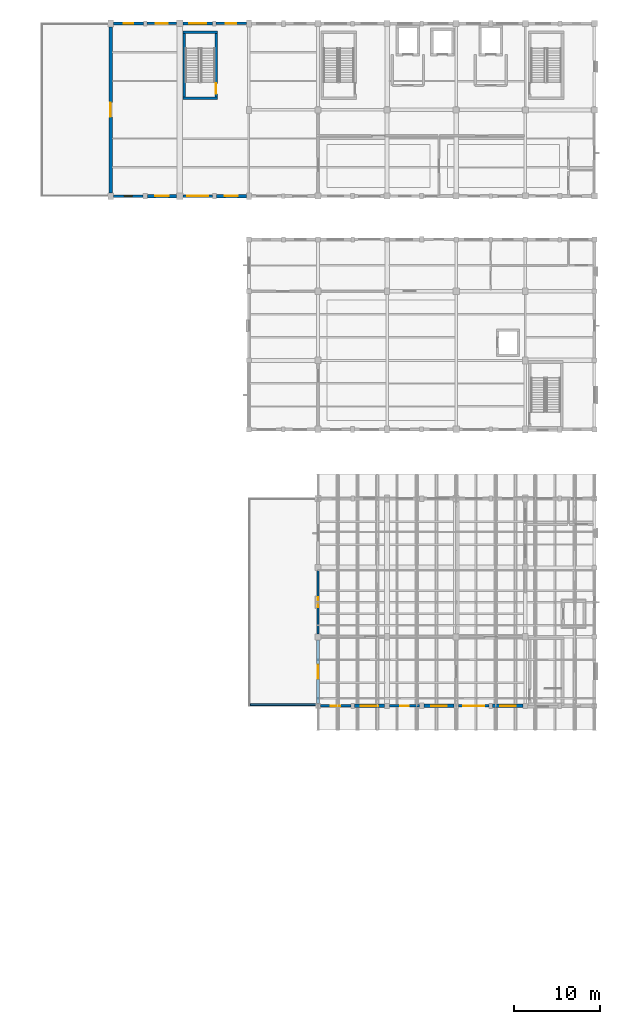
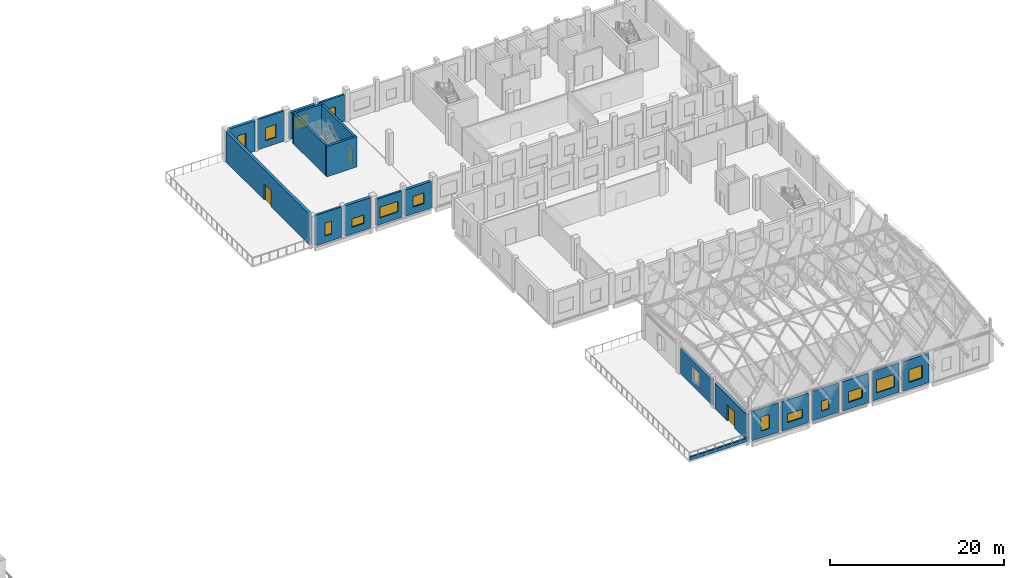
# One storey, part 45 of 77: 22 walls, 15 windows, 3 doors, 18 openings.
"""IFC4 building model written with IfcOpenShell, lengths in metres."""

from ifc_helpers import new_model, si_unit, direction, frame, frame_2d, origin, place, context, subcontext, project, spatial, rectangle, extrude, material, layer, layer_set, type_object, element, fill, save


model = new_model("IFC4")

# Units and contexts
model_context = context("Model", 3, precision=1e-05, world=origin(), true_north=direction((0.0, 1.0)))
body_context = subcontext(model_context, "Body", "Model", "MODEL_VIEW")
ifc_project = project(units=[si_unit("LENGTHUNIT", "METRE"), si_unit("AREAUNIT", "SQUARE_METRE"), si_unit("VOLUMEUNIT", "CUBIC_METRE"), si_unit("PLANEANGLEUNIT", "RADIAN"), si_unit("MASSUNIT", "GRAM", prefix="KILO")], contexts=[model_context])

# Site, building, storey
site_placement = place(None, origin())
site = spatial("IfcSite", under=ifc_project, at=site_placement, CompositionType="ELEMENT")
building_placement = place(site_placement, origin())
building = spatial("IfcBuilding", under=site, at=building_placement, Name="Luwemba Playhouse", CompositionType="ELEMENT")
storey_placement = place(building_placement, frame((0.0, 0.0, 9.300048828125)))
storey = spatial("IfcBuildingStorey", under=building, at=storey_placement, Name="L02", CompositionType="ELEMENT", Elevation=9.300048828125)

# Wall, opening, door
ifc_material_1 = material(Name="Clay facing brick obra vista masonry", Category="masonry")
ifc_layer_1 = layer(ifc_material_1, 0.3798828125)
ifc_layer_set_1 = layer_set([ifc_layer_1], Name="Clay facing brick obra vista masonry")
wall_type_1 = type_object("IfcWallType", Name="WAL-BRK-380", PredefinedType="SOLIDWALL", material=ifc_layer_set_1)
wall_1_placement = place(storey_placement, frame((140.0, 36.27490234375, 0.0), z_axis=(0.0, 0.0, 1.0), x_axis=(0.0, 1.0, 0.0)))
wall_1 = element("IfcWall", 1, at=wall_1_placement, inside=storey, type_object=wall_type_1, Name="L02 V3 exterior facade wall 0303", PredefinedType="SOLIDWALL", context=body_context, shape_type="SweptSolid", body=[
    extrude(rectangle(XDim=7.375, YDim=0.3798828125, at=frame_2d((3.6875, 0.0))), origin(), (0.0, 0.0, 1.0), 3.5849609375),
])
opening_1_placement = place(wall_1_placement, frame((2.862548828125, 0.0, 0.0)))
opening_1 = element("IfcOpeningElement", 2, at=opening_1_placement, cuts=wall_1, Name="Opening D-TR1", PredefinedType="OPENING", context=body_context, shape_type="SweptSolid", body=[
    extrude(rectangle(XDim=1.64990234375, YDim=2.25, at=frame_2d((0.824951171875, 1.125))), frame((0.0, 0.199951171875, 0.0), z_axis=(0.0, -1.0, 0.0), x_axis=(1.0, 0.0, 0.0)), (0.0, 0.0, 1.0), 0.39990234375),
])
ifc_material_2 = material(Name="Architectural bronze-anodised aluminium and glazed leaf", Category="aluminium")
door_type_1 = type_object("IfcDoorType", Name="DR-TER-165", OperationType="NOTDEFINED", PredefinedType="DOOR", material=ifc_material_2)
door_1_placement = place(opening_1_placement, origin())
door_1 = element("IfcDoor", 3, at=door_1_placement, inside=storey, type_object=door_type_1, Name="L02 TER-V3-L02 terrace entrance door", OperationType="DOUBLE_DOOR_SINGLE_SWING", OverallHeight=2.25, OverallWidth=1.64990234375, PredefinedType="DOOR", context=body_context, shape_type="SweptSolid", body=[
    extrude(rectangle(XDim=1.64990234375, YDim=2.25, at=frame_2d((0.824951171875, 1.125))), frame((0.0, 0.02490234375, 0.0), z_axis=(0.0, -1.0, 0.0), x_axis=(1.0, 0.0, 0.0)), (0.0, 0.0, 1.0), 0.050048828125),
])
fill(opening_1, door_1)

# Wall, opening, window
wall_2_placement = place(storey_placement, frame((163.72509765625, 36.0, 0.0), z_axis=(0.0, 0.0, 1.0), x_axis=(-1.0, 0.0, 0.0)))
wall_2 = element("IfcWall", 4, at=wall_2_placement, inside=storey, type_object=wall_type_1, Name="L02 V3 exterior facade wall 0319", PredefinedType="SOLIDWALL", context=body_context, shape_type="SweptSolid", body=[
    extrude(rectangle(XDim=3.5, YDim=0.3798828125, at=frame_2d((1.75, 0.0))), origin(), (0.0, 0.0, 1.0), 4.125),
])
opening_2_placement = place(wall_2_placement, frame((0.85009765625, 0.0, 0.949951171875)))
opening_2 = element("IfcOpeningElement", 5, at=opening_2_placement, cuts=wall_2, Name="Opening WN-04", PredefinedType="OPENING", context=body_context, shape_type="SweptSolid", body=[
    extrude(rectangle(XDim=1.800048828125, YDim=1.800048828125, at=frame_2d((0.89990234375, 0.89990234375))), frame((0.0, 0.199951171875, 0.0), z_axis=(0.0, -1.0, 0.0), x_axis=(1.0, 0.0, 0.0)), (0.0, 0.0, 1.0), 0.39990234375),
])
ifc_material_3 = material(Name="Solar-control double glazing in aluminium frame", Category="aluminium")
window_type_1 = type_object("IfcWindowType", Name="WIN-WN-04", PartitioningType="DOUBLE_PANEL_VERTICAL", PredefinedType="WINDOW", material=ifc_material_3)
window_1_placement = place(opening_2_placement, origin())
window_1 = element("IfcWindow", 6, at=window_1_placement, inside=storey, type_object=window_type_1, Name="L02 V3 scheduled window 0264", OverallHeight=1.800048828125, OverallWidth=1.800048828125, PartitioningType="DOUBLE_PANEL_VERTICAL", PredefinedType="WINDOW", context=body_context, shape_type="SweptSolid", body=[
    extrude(rectangle(XDim=1.800048828125, YDim=1.800048828125, at=frame_2d((0.89990234375, 0.89990234375))), frame((0.0, 0.030029296875, 0.0), z_axis=(0.0, -1.0, 0.0), x_axis=(1.0, 0.0, 0.0)), (0.0, 0.0, 1.0), 0.06005859375),
])
fill(opening_2, window_1)

wall_3_placement = place(storey_placement, frame((155.72509765625, 36.0, 0.0), z_axis=(0.0, 0.0, 1.0), x_axis=(-1.0, 0.0, 0.0)))
wall_3 = element("IfcWall", 7, at=wall_3_placement, inside=storey, type_object=wall_type_1, Name="L02 V3 exterior facade wall 0321", PredefinedType="SOLIDWALL", context=body_context, shape_type="SweptSolid", body=[
    extrude(rectangle(XDim=3.47509765625, YDim=0.3798828125, at=frame_2d((1.737548828125, 0.0))), origin(), (0.0, 0.0, 1.0), 4.125),
])
opening_3_placement = place(wall_3_placement, frame((0.83740234375, 0.0, 0.949951171875)))
opening_3 = element("IfcOpeningElement", 8, at=opening_3_placement, cuts=wall_3, Name="Opening WN-10", PredefinedType="OPENING", context=body_context, shape_type="SweptSolid", body=[
    extrude(rectangle(XDim=1.800048828125, YDim=1.5, at=frame_2d((0.89990234375, 0.75))), frame((0.0, 0.199951171875, 0.0), z_axis=(0.0, -1.0, 0.0), x_axis=(1.0, 0.0, 0.0)), (0.0, 0.0, 1.0), 0.39990234375),
])
window_type_2 = type_object("IfcWindowType", Name="WIN-WN-10", PartitioningType="DOUBLE_PANEL_VERTICAL", PredefinedType="WINDOW", material=ifc_material_3)
window_2_placement = place(opening_3_placement, origin())
window_2 = element("IfcWindow", 9, at=window_2_placement, inside=storey, type_object=window_type_2, Name="L02 V3 scheduled window 0266", OverallHeight=1.5, OverallWidth=1.800048828125, PartitioningType="DOUBLE_PANEL_VERTICAL", PredefinedType="WINDOW", context=body_context, shape_type="SweptSolid", body=[
    extrude(rectangle(XDim=1.800048828125, YDim=1.5, at=frame_2d((0.89990234375, 0.75))), frame((0.0, 0.030029296875, 0.0), z_axis=(0.0, -1.0, 0.0), x_axis=(1.0, 0.0, 0.0)), (0.0, 0.0, 1.0), 0.06005859375),
])
fill(opening_3, window_2)

wall_4_placement = place(storey_placement, frame((147.72509765625, 36.0, 0.0), z_axis=(0.0, 0.0, 1.0), x_axis=(-1.0, 0.0, 0.0)))
wall_4 = element("IfcWall", 10, at=wall_4_placement, inside=storey, type_object=wall_type_1, Name="L02 V3 exterior facade wall 0323", PredefinedType="SOLIDWALL", context=body_context, shape_type="SweptSolid", body=[
    extrude(rectangle(XDim=3.525146484375, YDim=0.3798828125, at=frame_2d((1.7626953125, 0.0))), origin(), (0.0, 0.0, 1.0), 4.125),
])
opening_4_placement = place(wall_4_placement, frame((0.762451171875, 0.0, 0.949951171875)))
opening_4 = element("IfcOpeningElement", 11, at=opening_4_placement, cuts=wall_4, Name="Opening WN-16", PredefinedType="OPENING", context=body_context, shape_type="SweptSolid", body=[
    extrude(rectangle(XDim=2.0, YDim=1.199951171875, at=frame_2d((1.0, 0.60009765625))), frame((0.0, 0.199951171875, 0.0), z_axis=(0.0, -1.0, 0.0), x_axis=(1.0, 0.0, 0.0)), (0.0, 0.0, 1.0), 0.39990234375),
])
window_type_3 = type_object("IfcWindowType", Name="WIN-WN-16", PartitioningType="DOUBLE_PANEL_HORIZONTAL", PredefinedType="WINDOW", material=ifc_material_3)
window_3_placement = place(opening_4_placement, origin())
window_3 = element("IfcWindow", 12, at=window_3_placement, inside=storey, type_object=window_type_3, Name="L02 V3 scheduled window 0268", OverallHeight=1.199951171875, OverallWidth=2.0, PartitioningType="DOUBLE_PANEL_HORIZONTAL", PredefinedType="WINDOW", context=body_context, shape_type="SweptSolid", body=[
    extrude(rectangle(XDim=2.0, YDim=1.199951171875, at=frame_2d((1.0, 0.60009765625))), frame((0.0, 0.030029296875, 0.0), z_axis=(0.0, -1.0, 0.0), x_axis=(1.0, 0.0, 0.0)), (0.0, 0.0, 1.0), 0.06005859375),
])
fill(opening_4, window_3)

# Wall, opening, door
wall_5_placement = place(storey_placement, frame((116.0, 95.39990234375, 0.0), z_axis=(0.0, 0.0, 1.0), x_axis=(0.0, 1.0, 0.0)))
wall_5 = element("IfcWall", 13, at=wall_5_placement, inside=storey, type_object=wall_type_1, Name="L02 V6E exterior facade wall 0377", PredefinedType="SOLIDWALL", context=body_context, shape_type="SweptSolid", body=[
    extrude(rectangle(XDim=19.2001953125, YDim=0.3798828125, at=frame_2d((9.60009765625, 0.0))), origin(), (0.0, 0.0, 1.0), 4.27001953125),
])
opening_5_placement = place(wall_5_placement, frame((8.77490234375, 0.0, 0.0)))
opening_5 = element("IfcOpeningElement", 14, at=opening_5_placement, cuts=wall_5, Name="Opening D-TR1", PredefinedType="OPENING", context=body_context, shape_type="SweptSolid", body=[
    extrude(rectangle(XDim=1.64990234375, YDim=2.25, at=frame_2d((0.824951171875, 1.125))), frame((0.0, 0.199951171875, 0.0), z_axis=(0.0, -1.0, 0.0), x_axis=(1.0, 0.0, 0.0)), (0.0, 0.0, 1.0), 0.39990234375),
])
door_2_placement = place(opening_5_placement, origin())
door_2 = element("IfcDoor", 15, at=door_2_placement, inside=storey, type_object=door_type_1, Name="L02 TER-V6E-L02 terrace entrance door", OperationType="DOUBLE_DOOR_SINGLE_SWING", OverallHeight=2.25, OverallWidth=1.64990234375, PredefinedType="DOOR", context=body_context, shape_type="SweptSolid", body=[
    extrude(rectangle(XDim=1.64990234375, YDim=2.25, at=frame_2d((0.824951171875, 1.125))), frame((0.0, 0.02490234375, 0.0), z_axis=(0.0, -1.0, 0.0), x_axis=(1.0, 0.0, 0.0)), (0.0, 0.0, 1.0), 0.050048828125),
])
fill(opening_5, door_2)

# Wall, opening, window
wall_6_placement = place(storey_placement, frame((116.300048828125, 115.0, 0.0), z_axis=(0.0, 0.0, 1.0), x_axis=(1.0, 0.0, 0.0)))
wall_6 = element("IfcWall", 16, at=wall_6_placement, inside=storey, type_object=wall_type_1, Name="L02 V6E exterior facade wall 0378", PredefinedType="SOLIDWALL", context=body_context, shape_type="SweptSolid", body=[
    extrude(rectangle(XDim=3.474853515625, YDim=0.3798828125, at=frame_2d((1.7373046875, 0.0))), origin(), (0.0, 0.0, 1.0), 4.27001953125),
])
opening_6_placement = place(wall_6_placement, frame((1.1875, 0.0, 0.949951171875)))
opening_6 = element("IfcOpeningElement", 17, at=opening_6_placement, cuts=wall_6, Name="Opening WN-19", PredefinedType="OPENING", context=body_context, shape_type="SweptSolid", body=[
    extrude(rectangle(XDim=1.10009765625, YDim=2.0, at=frame_2d((0.550048828125, 1.0))), frame((0.0, 0.199951171875, 0.0), z_axis=(0.0, -1.0, 0.0), x_axis=(1.0, 0.0, 0.0)), (0.0, 0.0, 1.0), 0.39990234375),
])
window_type_4 = type_object("IfcWindowType", Name="WIN-WN-19", PartitioningType="SINGLE_PANEL", PredefinedType="WINDOW", material=ifc_material_3)
window_4_placement = place(opening_6_placement, origin())
window_4 = element("IfcWindow", 18, at=window_4_placement, inside=storey, type_object=window_type_4, Name="L02 V6E scheduled window 0321", OverallHeight=2.0, OverallWidth=1.10009765625, PartitioningType="SINGLE_PANEL", PredefinedType="WINDOW", context=body_context, shape_type="SweptSolid", body=[
    extrude(rectangle(XDim=1.10009765625, YDim=2.0, at=frame_2d((0.550048828125, 1.0))), frame((0.0, 0.030029296875, 0.0), z_axis=(0.0, -1.0, 0.0), x_axis=(1.0, 0.0, 0.0)), (0.0, 0.0, 1.0), 0.06005859375),
])
fill(opening_6, window_4)

wall_7_placement = place(storey_placement, frame((124.375, 115.0, 0.0), z_axis=(0.0, 0.0, 1.0), x_axis=(1.0, 0.0, 0.0)))
wall_7 = element("IfcWall", 19, at=wall_7_placement, inside=storey, type_object=wall_type_1, Name="L02 V6E exterior facade wall 0380", PredefinedType="SOLIDWALL", context=body_context, shape_type="SweptSolid", body=[
    extrude(rectangle(XDim=3.425048828125, YDim=0.3798828125, at=frame_2d((1.71240234375, 0.0))), origin(), (0.0, 0.0, 1.0), 3.7548828125),
])
opening_7_placement = place(wall_7_placement, frame((0.71240234375, 0.0, 0.949951171875)))
opening_7 = element("IfcOpeningElement", 20, at=opening_7_placement, cuts=wall_7, Name="Opening WN-05", PredefinedType="OPENING", context=body_context, shape_type="SweptSolid", body=[
    extrude(rectangle(XDim=2.0, YDim=1.800048828125, at=frame_2d((1.0, 0.89990234375))), frame((0.0, 0.199951171875, 0.0), z_axis=(0.0, -1.0, 0.0), x_axis=(1.0, 0.0, 0.0)), (0.0, 0.0, 1.0), 0.39990234375),
])
window_type_5 = type_object("IfcWindowType", Name="WIN-WN-05", PartitioningType="TRIPLE_PANEL_VERTICAL", PredefinedType="WINDOW", material=ifc_material_3)
window_5_placement = place(opening_7_placement, origin())
window_5 = element("IfcWindow", 21, at=window_5_placement, inside=storey, type_object=window_type_5, Name="L02 V6E scheduled window 0323", OverallHeight=1.800048828125, OverallWidth=2.0, PartitioningType="TRIPLE_PANEL_VERTICAL", PredefinedType="WINDOW", context=body_context, shape_type="SweptSolid", body=[
    extrude(rectangle(XDim=2.0, YDim=1.800048828125, at=frame_2d((1.0, 0.89990234375))), frame((0.0, 0.030029296875, 0.0), z_axis=(0.0, -1.0, 0.0), x_axis=(1.0, 0.0, 0.0)), (0.0, 0.0, 1.0), 0.06005859375),
])
fill(opening_7, window_5)

wall_8_placement = place(storey_placement, frame((131.699951171875, 95.0, 0.0), z_axis=(0.0, 0.0, 1.0), x_axis=(-1.0, 0.0, 0.0)))
wall_8 = element("IfcWall", 22, at=wall_8_placement, inside=storey, type_object=wall_type_1, Name="L02 V6E exterior facade wall 0404", PredefinedType="SOLIDWALL", context=body_context, shape_type="SweptSolid", body=[
    extrude(rectangle(XDim=3.474853515625, YDim=0.3798828125, at=frame_2d((1.7373046875, 0.0))), origin(), (0.0, 0.0, 1.0), 3.704833984375),
])
opening_8_placement = place(wall_8_placement, frame((0.987548828125, 0.0, 0.949951171875)))
opening_8 = element("IfcOpeningElement", 23, at=opening_8_placement, cuts=wall_8, Name="Opening WN-09", PredefinedType="OPENING", context=body_context, shape_type="SweptSolid", body=[
    extrude(rectangle(XDim=1.5, YDim=1.5, at=frame_2d((0.75, 0.75))), frame((0.0, 0.199951171875, 0.0), z_axis=(0.0, -1.0, 0.0), x_axis=(1.0, 0.0, 0.0)), (0.0, 0.0, 1.0), 0.39990234375),
])
window_type_6 = type_object("IfcWindowType", Name="WIN-WN-09", PartitioningType="DOUBLE_PANEL_VERTICAL", PredefinedType="WINDOW", material=ifc_material_3)
window_6_placement = place(opening_8_placement, origin())
window_6 = element("IfcWindow", 24, at=window_6_placement, inside=storey, type_object=window_type_6, Name="L02 V6E scheduled window 0347", OverallHeight=1.5, OverallWidth=1.5, PartitioningType="DOUBLE_PANEL_VERTICAL", PredefinedType="WINDOW", context=body_context, shape_type="SweptSolid", body=[
    extrude(rectangle(XDim=1.5, YDim=1.5, at=frame_2d((0.75, 0.75))), frame((0.0, 0.030029296875, 0.0), z_axis=(0.0, -1.0, 0.0), x_axis=(1.0, 0.0, 0.0)), (0.0, 0.0, 1.0), 0.06005859375),
])
fill(opening_8, window_6)

wall_9_placement = place(storey_placement, frame((123.625, 95.0, 0.0), z_axis=(0.0, 0.0, 1.0), x_axis=(-1.0, 0.0, 0.0)))
wall_9 = element("IfcWall", 25, at=wall_9_placement, inside=storey, type_object=wall_type_1, Name="L02 V6E exterior facade wall 0406", PredefinedType="SOLIDWALL", context=body_context, shape_type="SweptSolid", body=[
    extrude(rectangle(XDim=3.375, YDim=0.3798828125, at=frame_2d((1.6875, 0.0))), origin(), (0.0, 0.0, 1.0), 4.27001953125),
])
opening_9_placement = place(wall_9_placement, frame((0.887451171875, 0.0, 0.949951171875)))
opening_9 = element("IfcOpeningElement", 26, at=opening_9_placement, cuts=wall_9, Name="Opening WN-15", PredefinedType="OPENING", context=body_context, shape_type="SweptSolid", body=[
    extrude(rectangle(XDim=1.60009765625, YDim=1.199951171875, at=frame_2d((0.800048828125, 0.60009765625))), frame((0.0, 0.199951171875, 0.0), z_axis=(0.0, -1.0, 0.0), x_axis=(1.0, 0.0, 0.0)), (0.0, 0.0, 1.0), 0.39990234375),
])
window_type_7 = type_object("IfcWindowType", Name="WIN-WN-15", PartitioningType="DOUBLE_PANEL_HORIZONTAL", PredefinedType="WINDOW", material=ifc_material_3)
window_7_placement = place(opening_9_placement, origin())
window_7 = element("IfcWindow", 27, at=window_7_placement, inside=storey, type_object=window_type_7, Name="L02 V6E scheduled window 0349", OverallHeight=1.199951171875, OverallWidth=1.60009765625, PartitioningType="DOUBLE_PANEL_HORIZONTAL", PredefinedType="WINDOW", context=body_context, shape_type="SweptSolid", body=[
    extrude(rectangle(XDim=1.60009765625, YDim=1.199951171875, at=frame_2d((0.800048828125, 0.60009765625))), frame((0.0, 0.030029296875, 0.0), z_axis=(0.0, -1.0, 0.0), x_axis=(1.0, 0.0, 0.0)), (0.0, 0.0, 1.0), 0.06005859375),
])
fill(opening_9, window_7)

# Walls
ifc_material_4 = material(Name="Concrete C40/50", Category="concrete")
ifc_layer_2 = layer(ifc_material_4, 0.300048828125)
ifc_layer_set_2 = layer_set([ifc_layer_2], Name="Concrete C40/50")
wall_type_2 = type_object("IfcWallType", Name="WAL-CORE-300", PredefinedType="SHEAR", material=ifc_layer_set_2)
for number, where, z_axis, x_axis, name in (
    (28, (124.35009765625, 106.35009765625, 0.0), (0.0, 0.0, 1.0), (1.0, 0.0, 0.0), "L02 ST-16 stair core wall S"),
    (29, (128.35009765625, 113.969970703125, 0.0), (0.0, 0.0, 1.0), (-1.0, 0.0, 0.0), "L02 ST-16 stair core wall N"),
):
    element("IfcWall", number, at=place(storey_placement, frame(where, z_axis=z_axis, x_axis=x_axis)), inside=storey, type_object=wall_type_2, Name=name, PredefinedType="SHEAR", context=body_context, shape_type="SweptSolid", body=[
        extrude(rectangle(XDim=4.0, YDim=0.300048828125, at=frame_2d((2.0, 0.0))), origin(), (0.0, 0.0, 1.0), 4.27001953125),
    ])
wall_10_placement = place(storey_placement, frame((124.5, 106.5, 0.0), z_axis=(0.0, 0.0, 1.0), x_axis=(0.0, 1.0, 0.0)))
element("IfcWall", 30, at=wall_10_placement, inside=storey, type_object=wall_type_2, Name="L02 ST-16 stair core wall W", PredefinedType="SHEAR", context=body_context, shape_type="SweptSolid", body=[
    extrude(rectangle(XDim=7.320068359375, YDim=0.300048828125, at=frame_2d((3.66015625, 0.0))), origin(), (0.0, 0.0, 1.0), 4.27001953125),
])

# Wall, opening, door
wall_11_placement = place(storey_placement, frame((128.199951171875, 106.5, 0.0), z_axis=(0.0, 0.0, 1.0), x_axis=(0.0, 1.0, 0.0)))
wall_11 = element("IfcWall", 31, at=wall_11_placement, inside=storey, type_object=wall_type_2, Name="L02 ST-16 stair core wall E", PredefinedType="SHEAR", context=body_context, shape_type="SweptSolid", body=[
    extrude(rectangle(XDim=7.320068359375, YDim=0.300048828125, at=frame_2d((3.66015625, 0.0))), origin(), (0.0, 0.0, 1.0), 4.27001953125),
])
opening_10_placement = place(wall_11_placement, frame((0.35009765625, 0.0, 0.0)))
opening_10 = element("IfcOpeningElement", 32, at=opening_10_placement, cuts=wall_11, Name="Opening D-STAIR3", PredefinedType="OPENING", context=body_context, shape_type="SweptSolid", body=[
    extrude(rectangle(XDim=1.199951171875, YDim=2.14990234375, at=frame_2d((0.60009765625, 1.074951171875))), frame((0.0, 0.159912109375, 0.0), z_axis=(0.0, -1.0, 0.0), x_axis=(1.0, 0.0, 0.0)), (0.0, 0.0, 1.0), 0.320068359375),
])
ifc_material_5 = material(Name="Hardwood acoustic fire door leaf", Category="wood")
door_type_2 = type_object("IfcDoorType", Name="DR-STAIR-120", OperationType="NOTDEFINED", PredefinedType="DOOR", material=ifc_material_5)
door_3_placement = place(opening_10_placement, origin())
door_3 = element("IfcDoor", 33, at=door_3_placement, inside=storey, type_object=door_type_2, Name="L02 ST-16 protected stair entry door", OperationType="SINGLE_SWING_LEFT", OverallHeight=2.14990234375, OverallWidth=1.199951171875, PredefinedType="DOOR", context=body_context, shape_type="SweptSolid", body=[
    extrude(rectangle(XDim=1.199951171875, YDim=2.14990234375, at=frame_2d((0.60009765625, 1.074951171875))), frame((0.0, 0.02490234375, 0.0), z_axis=(0.0, -1.0, 0.0), x_axis=(1.0, 0.0, 0.0)), (0.0, 0.0, 1.0), 0.050048828125),
])
fill(opening_10, door_3)

# Wall
ifc_material_6 = material(Name="Trencadis ceramic mosaic masonry", Category="masonry")
ifc_layer_3 = layer(ifc_material_6, 0.22509765625)
ifc_layer_set_3 = layer_set([ifc_layer_3], Name="Trencadis ceramic mosaic masonry")
wall_type_3 = type_object("IfcWallType", Name="WAL-PAR-225", PredefinedType="PARAPET", material=ifc_layer_set_3)
wall_12_placement = place(storey_placement, frame((132.14990234375, 36.14990234375, 0.0), z_axis=(0.0, 0.0, 1.0), x_axis=(1.0, 0.0, 0.0)))
element("IfcWall", 34, at=wall_12_placement, inside=storey, type_object=wall_type_3, Name="Studio terrace south trencadis coping", PredefinedType="PARAPET", context=body_context, shape_type="SweptSolid", body=[
    extrude(rectangle(XDim=7.85009765625, YDim=0.22509765625, at=frame_2d((3.925048828125, 0.0))), origin(), (0.0, 0.0, 1.0), 0.449951171875),
])

# Wall, opening, window
ifc_material_7 = material(Name="Structural timber GL24h infill", Category="wood")
ifc_layer_4 = layer(ifc_material_7, 0.280029296875)
ifc_layer_set_4 = layer_set([ifc_layer_4], Name="Structural timber GL24h infill")
wall_type_4 = type_object("IfcWallType", Name="WAL-TIM-280", PredefinedType="SOLIDWALL", material=ifc_layer_set_4)
wall_13_placement = place(storey_placement, frame((140.0, 44.35009765625, 0.0), z_axis=(0.0, 0.0, 1.0), x_axis=(0.0, 1.0, 0.0)))
wall_13 = element("IfcWall", 35, at=wall_13_placement, inside=storey, type_object=wall_type_4, Name="L02 V3 exterior facade wall 0304", PredefinedType="SOLIDWALL", context=body_context, shape_type="SweptSolid", body=[
    extrude(rectangle(XDim=7.2998046875, YDim=0.280029296875, at=frame_2d((3.64990234375, 0.0))), origin(), (0.0, 0.0, 1.0), 3.5849609375),
])
opening_11_placement = place(wall_13_placement, frame((3.050048828125, 0.0, 0.949951171875)))
opening_11 = element("IfcOpeningElement", 36, at=opening_11_placement, cuts=wall_13, Name="Opening WN-01", PredefinedType="OPENING", context=body_context, shape_type="SweptSolid", body=[
    extrude(rectangle(XDim=1.199951171875, YDim=1.800048828125, at=frame_2d((0.60009765625, 0.89990234375))), frame((0.0, 0.14990234375, 0.0), z_axis=(0.0, -1.0, 0.0), x_axis=(1.0, 0.0, 0.0)), (0.0, 0.0, 1.0), 0.300048828125),
])
window_type_8 = type_object("IfcWindowType", Name="WIN-WN-01", PartitioningType="SINGLE_PANEL", PredefinedType="WINDOW", material=ifc_material_3)
window_8_placement = place(opening_11_placement, origin())
window_8 = element("IfcWindow", 37, at=window_8_placement, inside=storey, type_object=window_type_8, Name="L02 V3 scheduled window 0249", OverallHeight=1.800048828125, OverallWidth=1.199951171875, PartitioningType="SINGLE_PANEL", PredefinedType="WINDOW", context=body_context, shape_type="SweptSolid", body=[
    extrude(rectangle(XDim=1.199951171875, YDim=1.800048828125, at=frame_2d((0.60009765625, 0.89990234375))), frame((0.0, 0.030029296875, 0.0), z_axis=(0.0, -1.0, 0.0), x_axis=(1.0, 0.0, 0.0)), (0.0, 0.0, 1.0), 0.06005859375),
])
fill(opening_11, window_8)

wall_14_placement = place(storey_placement, frame((159.77490234375, 36.0, 0.0), z_axis=(0.0, 0.0, 1.0), x_axis=(-1.0, 0.0, 0.0)))
wall_14 = element("IfcWall", 38, at=wall_14_placement, inside=storey, type_object=wall_type_4, Name="L02 V3 exterior facade wall 0320", PredefinedType="SOLIDWALL", context=body_context, shape_type="SweptSolid", body=[
    extrude(rectangle(XDim=3.5, YDim=0.280029296875, at=frame_2d((1.75, 0.0))), origin(), (0.0, 0.0, 1.0), 4.125),
])
opening_12_placement = place(wall_14_placement, frame((0.550048828125, 0.0, 0.949951171875)))
opening_12 = element("IfcOpeningElement", 39, at=opening_12_placement, cuts=wall_14, Name="Opening WN-07", PredefinedType="OPENING", context=body_context, shape_type="SweptSolid", body=[
    extrude(rectangle(XDim=2.39990234375, YDim=1.800048828125, at=frame_2d((1.199951171875, 0.89990234375))), frame((0.0, 0.14990234375, 0.0), z_axis=(0.0, -1.0, 0.0), x_axis=(1.0, 0.0, 0.0)), (0.0, 0.0, 1.0), 0.300048828125),
])
window_type_9 = type_object("IfcWindowType", Name="WIN-WN-07", PartitioningType="TRIPLE_PANEL_VERTICAL", PredefinedType="WINDOW", material=ifc_material_3)
window_9_placement = place(opening_12_placement, origin())
window_9 = element("IfcWindow", 40, at=window_9_placement, inside=storey, type_object=window_type_9, Name="L02 V3 scheduled window 0265", OverallHeight=1.800048828125, OverallWidth=2.39990234375, PartitioningType="TRIPLE_PANEL_VERTICAL", PredefinedType="WINDOW", context=body_context, shape_type="SweptSolid", body=[
    extrude(rectangle(XDim=2.39990234375, YDim=1.800048828125, at=frame_2d((1.199951171875, 0.89990234375))), frame((0.0, 0.030029296875, 0.0), z_axis=(0.0, -1.0, 0.0), x_axis=(1.0, 0.0, 0.0)), (0.0, 0.0, 1.0), 0.06005859375),
])
fill(opening_12, window_9)

wall_15_placement = place(storey_placement, frame((151.75, 36.0, 0.0), z_axis=(0.0, 0.0, 1.0), x_axis=(-1.0, 0.0, 0.0)))
wall_15 = element("IfcWall", 41, at=wall_15_placement, inside=storey, type_object=wall_type_4, Name="L02 V3 exterior facade wall 0322", PredefinedType="SOLIDWALL", context=body_context, shape_type="SweptSolid", body=[
    extrude(rectangle(XDim=3.47509765625, YDim=0.280029296875, at=frame_2d((1.737548828125, 0.0))), origin(), (0.0, 0.0, 1.0), 4.125),
])
opening_13_placement = place(wall_15_placement, frame((1.237548828125, 0.0, 0.949951171875)))
opening_13 = element("IfcOpeningElement", 42, at=opening_13_placement, cuts=wall_15, Name="Opening WN-13", PredefinedType="OPENING", context=body_context, shape_type="SweptSolid", body=[
    extrude(rectangle(XDim=1.0, YDim=1.39990234375, at=frame_2d((0.5, 0.699951171875))), frame((0.0, 0.14990234375, 0.0), z_axis=(0.0, -1.0, 0.0), x_axis=(1.0, 0.0, 0.0)), (0.0, 0.0, 1.0), 0.300048828125),
])
window_type_10 = type_object("IfcWindowType", Name="WIN-WN-13", PartitioningType="SINGLE_PANEL", PredefinedType="WINDOW", material=ifc_material_3)
window_10_placement = place(opening_13_placement, origin())
window_10 = element("IfcWindow", 43, at=window_10_placement, inside=storey, type_object=window_type_10, Name="L02 V3 scheduled window 0267", OverallHeight=1.39990234375, OverallWidth=1.0, PartitioningType="SINGLE_PANEL", PredefinedType="WINDOW", context=body_context, shape_type="SweptSolid", body=[
    extrude(rectangle(XDim=1.0, YDim=1.39990234375, at=frame_2d((0.5, 0.699951171875))), frame((0.0, 0.030029296875, 0.0), z_axis=(0.0, -1.0, 0.0), x_axis=(1.0, 0.0, 0.0)), (0.0, 0.0, 1.0), 0.06005859375),
])
fill(opening_13, window_10)

wall_16_placement = place(storey_placement, frame((143.800048828125, 36.0, 0.0), z_axis=(0.0, 0.0, 1.0), x_axis=(-1.0, 0.0, 0.0)))
wall_16 = element("IfcWall", 44, at=wall_16_placement, inside=storey, type_object=wall_type_4, Name="L02 V3 exterior facade wall 0324", PredefinedType="SOLIDWALL", context=body_context, shape_type="SweptSolid", body=[
    extrude(rectangle(XDim=3.525146484375, YDim=0.280029296875, at=frame_2d((1.7626953125, 0.0))), origin(), (0.0, 0.0, 1.0), 4.125),
])
opening_14_placement = place(wall_16_placement, frame((1.21240234375, 0.0, 0.949951171875)))
opening_14 = element("IfcOpeningElement", 45, at=opening_14_placement, cuts=wall_16, Name="Opening WN-19", PredefinedType="OPENING", context=body_context, shape_type="SweptSolid", body=[
    extrude(rectangle(XDim=1.10009765625, YDim=2.0, at=frame_2d((0.550048828125, 1.0))), frame((0.0, 0.14990234375, 0.0), z_axis=(0.0, -1.0, 0.0), x_axis=(1.0, 0.0, 0.0)), (0.0, 0.0, 1.0), 0.300048828125),
])
window_11_placement = place(opening_14_placement, origin())
window_11 = element("IfcWindow", 46, at=window_11_placement, inside=storey, type_object=window_type_4, Name="L02 V3 scheduled window 0269", OverallHeight=2.0, OverallWidth=1.10009765625, PartitioningType="SINGLE_PANEL", PredefinedType="WINDOW", context=body_context, shape_type="SweptSolid", body=[
    extrude(rectangle(XDim=1.10009765625, YDim=2.0, at=frame_2d((0.550048828125, 1.0))), frame((0.0, 0.030029296875, 0.0), z_axis=(0.0, -1.0, 0.0), x_axis=(1.0, 0.0, 0.0)), (0.0, 0.0, 1.0), 0.06005859375),
])
fill(opening_14, window_11)

wall_17_placement = place(storey_placement, frame((120.22509765625, 115.0, 0.0), z_axis=(0.0, 0.0, 1.0), x_axis=(1.0, 0.0, 0.0)))
wall_17 = element("IfcWall", 47, at=wall_17_placement, inside=storey, type_object=wall_type_4, Name="L02 V6E exterior facade wall 0379", PredefinedType="SOLIDWALL", context=body_context, shape_type="SweptSolid", body=[
    extrude(rectangle(XDim=3.39990234375, YDim=0.280029296875, at=frame_2d((1.699951171875, 0.0))), origin(), (0.0, 0.0, 1.0), 4.27001953125),
])
opening_15_placement = place(wall_17_placement, frame((1.0, 0.0, 0.949951171875)))
opening_15 = element("IfcOpeningElement", 48, at=opening_15_placement, cuts=wall_17, Name="Opening WN-02", PredefinedType="OPENING", context=body_context, shape_type="SweptSolid", body=[
    extrude(rectangle(XDim=1.39990234375, YDim=1.800048828125, at=frame_2d((0.699951171875, 0.89990234375))), frame((0.0, 0.14990234375, 0.0), z_axis=(0.0, -1.0, 0.0), x_axis=(1.0, 0.0, 0.0)), (0.0, 0.0, 1.0), 0.300048828125),
])
window_type_11 = type_object("IfcWindowType", Name="WIN-WN-02", PartitioningType="DOUBLE_PANEL_VERTICAL", PredefinedType="WINDOW", material=ifc_material_3)
window_12_placement = place(opening_15_placement, origin())
window_12 = element("IfcWindow", 49, at=window_12_placement, inside=storey, type_object=window_type_11, Name="L02 V6E scheduled window 0322", OverallHeight=1.800048828125, OverallWidth=1.39990234375, PartitioningType="DOUBLE_PANEL_VERTICAL", PredefinedType="WINDOW", context=body_context, shape_type="SweptSolid", body=[
    extrude(rectangle(XDim=1.39990234375, YDim=1.800048828125, at=frame_2d((0.699951171875, 0.89990234375))), frame((0.0, 0.030029296875, 0.0), z_axis=(0.0, -1.0, 0.0), x_axis=(1.0, 0.0, 0.0)), (0.0, 0.0, 1.0), 0.06005859375),
])
fill(opening_15, window_12)

wall_18_placement = place(storey_placement, frame((128.199951171875, 115.0, 0.0), z_axis=(0.0, 0.0, 1.0), x_axis=(1.0, 0.0, 0.0)))
wall_18 = element("IfcWall", 50, at=wall_18_placement, inside=storey, type_object=wall_type_4, Name="L02 V6E exterior facade wall 0381", PredefinedType="SOLIDWALL", context=body_context, shape_type="SweptSolid", body=[
    extrude(rectangle(XDim=3.5, YDim=0.280029296875, at=frame_2d((1.75, 0.0))), origin(), (0.0, 0.0, 1.0), 3.7548828125),
])
opening_16_placement = place(wall_18_placement, frame((1.14990234375, 0.0, 0.949951171875)))
opening_16 = element("IfcOpeningElement", 51, at=opening_16_placement, cuts=wall_18, Name="Opening WN-08", PredefinedType="OPENING", context=body_context, shape_type="SweptSolid", body=[
    extrude(rectangle(XDim=1.199951171875, YDim=1.5, at=frame_2d((0.60009765625, 0.75))), frame((0.0, 0.14990234375, 0.0), z_axis=(0.0, -1.0, 0.0), x_axis=(1.0, 0.0, 0.0)), (0.0, 0.0, 1.0), 0.300048828125),
])
window_type_12 = type_object("IfcWindowType", Name="WIN-WN-08", PartitioningType="SINGLE_PANEL", PredefinedType="WINDOW", material=ifc_material_3)
window_13_placement = place(opening_16_placement, origin())
window_13 = element("IfcWindow", 52, at=window_13_placement, inside=storey, type_object=window_type_12, Name="L02 V6E scheduled window 0324", OverallHeight=1.5, OverallWidth=1.199951171875, PartitioningType="SINGLE_PANEL", PredefinedType="WINDOW", context=body_context, shape_type="SweptSolid", body=[
    extrude(rectangle(XDim=1.199951171875, YDim=1.5, at=frame_2d((0.60009765625, 0.75))), frame((0.0, 0.030029296875, 0.0), z_axis=(0.0, -1.0, 0.0), x_axis=(1.0, 0.0, 0.0)), (0.0, 0.0, 1.0), 0.06005859375),
])
fill(opening_16, window_13)

wall_19_placement = place(storey_placement, frame((127.77490234375, 95.0, 0.0), z_axis=(0.0, 0.0, 1.0), x_axis=(-1.0, 0.0, 0.0)))
wall_19 = element("IfcWall", 53, at=wall_19_placement, inside=storey, type_object=wall_type_4, Name="L02 V6E exterior facade wall 0405", PredefinedType="SOLIDWALL", context=body_context, shape_type="SweptSolid", body=[
    extrude(rectangle(XDim=3.39990234375, YDim=0.280029296875, at=frame_2d((1.699951171875, 0.0))), origin(), (0.0, 0.0, 1.0), 3.704833984375),
])
opening_17_placement = place(wall_19_placement, frame((0.5, 0.0, 0.949951171875)))
opening_17 = element("IfcOpeningElement", 54, at=opening_17_placement, cuts=wall_19, Name="Opening WN-12", PredefinedType="OPENING", context=body_context, shape_type="SweptSolid", body=[
    extrude(rectangle(XDim=2.39990234375, YDim=1.5, at=frame_2d((1.199951171875, 0.75))), frame((0.0, 0.14990234375, 0.0), z_axis=(0.0, -1.0, 0.0), x_axis=(1.0, 0.0, 0.0)), (0.0, 0.0, 1.0), 0.300048828125),
])
window_type_13 = type_object("IfcWindowType", Name="WIN-WN-12", PartitioningType="TRIPLE_PANEL_VERTICAL", PredefinedType="WINDOW", material=ifc_material_3)
window_14_placement = place(opening_17_placement, origin())
window_14 = element("IfcWindow", 55, at=window_14_placement, inside=storey, type_object=window_type_13, Name="L02 V6E scheduled window 0348", OverallHeight=1.5, OverallWidth=2.39990234375, PartitioningType="TRIPLE_PANEL_VERTICAL", PredefinedType="WINDOW", context=body_context, shape_type="SweptSolid", body=[
    extrude(rectangle(XDim=2.39990234375, YDim=1.5, at=frame_2d((1.199951171875, 0.75))), frame((0.0, 0.030029296875, 0.0), z_axis=(0.0, -1.0, 0.0), x_axis=(1.0, 0.0, 0.0)), (0.0, 0.0, 1.0), 0.06005859375),
])
fill(opening_17, window_14)

wall_20_placement = place(storey_placement, frame((119.75, 95.0, 0.0), z_axis=(0.0, 0.0, 1.0), x_axis=(-1.0, 0.0, 0.0)))
wall_20 = element("IfcWall", 56, at=wall_20_placement, inside=storey, type_object=wall_type_4, Name="L02 V6E exterior facade wall 0407", PredefinedType="SOLIDWALL", context=body_context, shape_type="SweptSolid", body=[
    extrude(rectangle(XDim=3.449951171875, YDim=0.280029296875, at=frame_2d((1.72509765625, 0.0))), origin(), (0.0, 0.0, 1.0), 4.27001953125),
])
opening_18_placement = place(wall_20_placement, frame((1.27490234375, 0.0, 0.949951171875)))
opening_18 = element("IfcOpeningElement", 57, at=opening_18_placement, cuts=wall_20, Name="Opening WN-18", PredefinedType="OPENING", context=body_context, shape_type="SweptSolid", body=[
    extrude(rectangle(XDim=0.89990234375, YDim=1.800048828125, at=frame_2d((0.449951171875, 0.89990234375))), frame((0.0, 0.14990234375, 0.0), z_axis=(0.0, -1.0, 0.0), x_axis=(1.0, 0.0, 0.0)), (0.0, 0.0, 1.0), 0.300048828125),
])
window_type_14 = type_object("IfcWindowType", Name="WIN-WN-18", PartitioningType="SINGLE_PANEL", PredefinedType="WINDOW", material=ifc_material_3)
window_15_placement = place(opening_18_placement, origin())
window_15 = element("IfcWindow", 58, at=window_15_placement, inside=storey, type_object=window_type_14, Name="L02 V6E scheduled window 0350", OverallHeight=1.800048828125, OverallWidth=0.89990234375, PartitioningType="SINGLE_PANEL", PredefinedType="WINDOW", context=body_context, shape_type="SweptSolid", body=[
    extrude(rectangle(XDim=0.89990234375, YDim=1.800048828125, at=frame_2d((0.449951171875, 0.89990234375))), frame((0.0, 0.030029296875, 0.0), z_axis=(0.0, -1.0, 0.0), x_axis=(1.0, 0.0, 0.0)), (0.0, 0.0, 1.0), 0.06005859375),
])
fill(opening_18, window_15)

save(model, "model.ifc")
